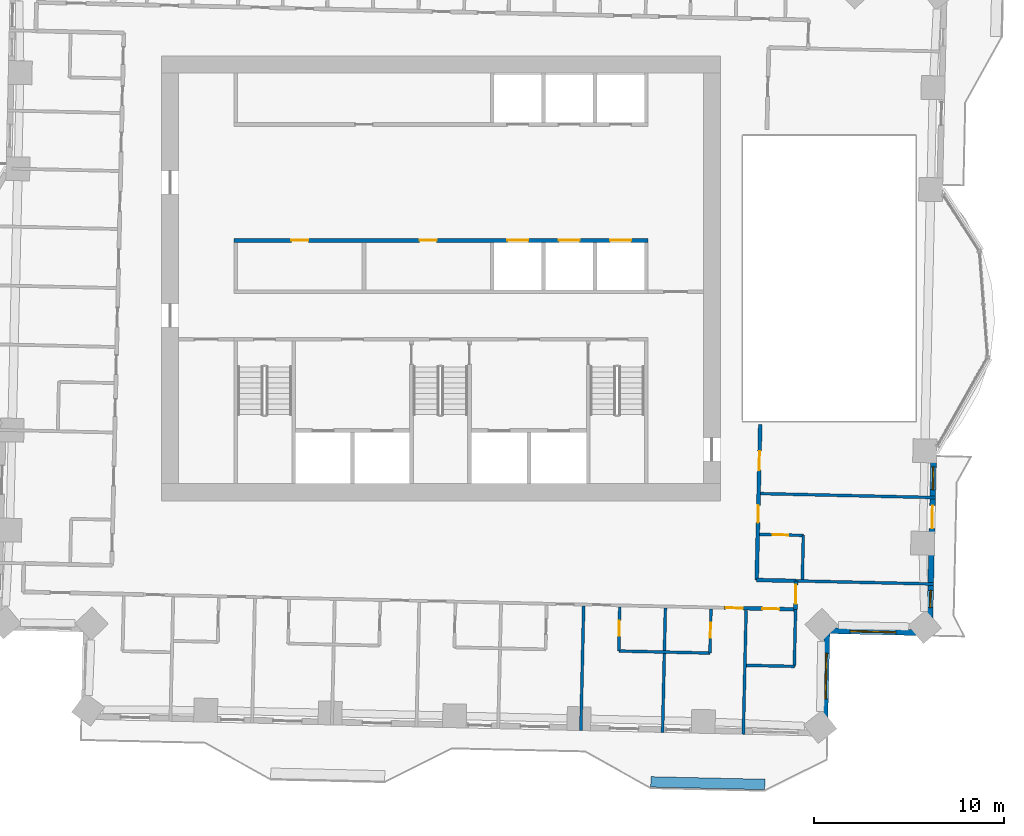
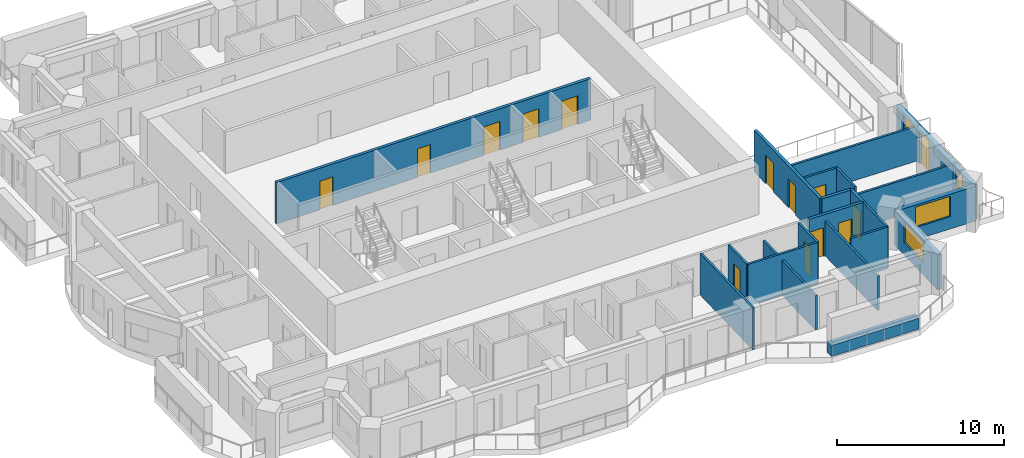
# One storey, part 7 of 14: 21 walls, 14 doors, 4 windows, 18 openings.
"""IFC4 building model written with IfcOpenShell, lengths in metres."""

from ifc_helpers import new_model, si_unit, direction, frame, frame_2d, origin, place, context, subcontext, project, spatial, rectangle, extrude, material, layer, layer_set, type_object, element, fill, save


model = new_model("IFC4")

# Units and contexts
model_context = context("Model", 3, precision=1e-05, world=origin(), true_north=direction((0.0, 1.0)))
body_context = subcontext(model_context, "Body", "Model", "MODEL_VIEW")
ifc_project = project(units=[si_unit("LENGTHUNIT", "METRE"), si_unit("AREAUNIT", "SQUARE_METRE"), si_unit("VOLUMEUNIT", "CUBIC_METRE"), si_unit("PLANEANGLEUNIT", "RADIAN"), si_unit("MASSUNIT", "GRAM", prefix="KILO")], contexts=[model_context])

# Site, building, storey
site_placement = place(None, origin())
site = spatial("IfcSite", under=ifc_project, at=site_placement, CompositionType="ELEMENT")
building_placement = place(site_placement, origin())
building = spatial("IfcBuilding", under=site, at=building_placement, Name="Mangrove Gate Tower", CompositionType="ELEMENT")
storey_placement = place(building_placement, frame((0.0, 0.0, 152.699951171875)))
storey = spatial("IfcBuildingStorey", under=building, at=storey_placement, Name="L38", CompositionType="ELEMENT", Elevation=152.699951171875)

# Wall, openings, doors
ifc_material_1 = material(Name="Concrete C60/75", Category="concrete")
ifc_layer_1 = layer(ifc_material_1, 0.199951171875)
ifc_layer_set_1 = layer_set([ifc_layer_1], Name="Core shaft wall 200 C60/75")
wall_type_1 = type_object("IfcWallType", Name="Core shaft wall 200 C60/75", PredefinedType="SHEAR", material=ifc_layer_set_1)
wall_1_placement = place(storey_placement, frame((-10.89990234375, 2.0, 0.0), z_axis=(0.0, 0.0, 1.0), x_axis=(1.0, 0.0, 0.0)))
wall_1 = element("IfcWall", 1, at=wall_1_placement, inside=storey, type_object=wall_type_1, Name="WALL-L38-CORE-7", PredefinedType="SHEAR", context=body_context, shape_type="SweptSolid", body=[
    extrude(rectangle(XDim=21.7998046875, YDim=0.199951171875, at=frame_2d((10.89990234375, 0.0))), origin(), (0.0, 0.0, 1.0), 3.050048828125),
])
opening_1_placement = place(wall_1_placement, frame((14.39990234375, 0.0, 0.0)))
opening_1 = element("IfcOpeningElement", 2, at=opening_1_placement, cuts=wall_1, Name="Opening LD", PredefinedType="OPENING", context=body_context, shape_type="SweptSolid", body=[
    extrude(rectangle(XDim=1.10009765625, YDim=2.10009765625, at=frame_2d((0.550048828125, 1.050048828125))), frame((0.0, 0.10986328125, 0.0), z_axis=(0.0, -1.0, 0.0), x_axis=(1.0, 0.0, 0.0)), (0.0, 0.0, 1.0), 0.219970703125),
])
opening_2_placement = place(wall_1_placement, frame((17.10009765625, 0.0, 0.0)))
opening_2 = element("IfcOpeningElement", 3, at=opening_2_placement, cuts=wall_1, Name="Opening LD", PredefinedType="OPENING", context=body_context, shape_type="SweptSolid", body=[
    extrude(rectangle(XDim=1.10009765625, YDim=2.10009765625, at=frame_2d((0.550048828125, 1.050048828125))), frame((0.0, 0.10986328125, 0.0), z_axis=(0.0, -1.0, 0.0), x_axis=(1.0, 0.0, 0.0)), (0.0, 0.0, 1.0), 0.219970703125),
])
opening_3_placement = place(wall_1_placement, frame((19.800048828125, 0.0, 0.0)))
opening_3 = element("IfcOpeningElement", 4, at=opening_3_placement, cuts=wall_1, Name="Opening LD", PredefinedType="OPENING", context=body_context, shape_type="SweptSolid", body=[
    extrude(rectangle(XDim=1.10009765625, YDim=2.10009765625, at=frame_2d((0.550048828125, 1.050048828125))), frame((0.0, 0.10986328125, 0.0), z_axis=(0.0, -1.0, 0.0), x_axis=(1.0, 0.0, 0.0)), (0.0, 0.0, 1.0), 0.219970703125),
])
opening_4_placement = place(wall_1_placement, frame((3.02490234375, 0.0, 0.0)))
opening_4 = element("IfcOpeningElement", 5, at=opening_4_placement, cuts=wall_1, Name="Opening KD", PredefinedType="OPENING", context=body_context, shape_type="SweptSolid", body=[
    extrude(rectangle(XDim=0.89990234375, YDim=2.10009765625, at=frame_2d((0.449951171875, 1.050048828125))), frame((0.0, 0.10986328125, 0.0), z_axis=(0.0, -1.0, 0.0), x_axis=(1.0, 0.0, 0.0)), (0.0, 0.0, 1.0), 0.219970703125),
])
opening_5_placement = place(wall_1_placement, frame((9.77490234375, 0.0, 0.0)))
opening_5 = element("IfcOpeningElement", 6, at=opening_5_placement, cuts=wall_1, Name="Opening KD", PredefinedType="OPENING", context=body_context, shape_type="SweptSolid", body=[
    extrude(rectangle(XDim=0.89990234375, YDim=2.10009765625, at=frame_2d((0.449951171875, 1.050048828125))), frame((0.0, 0.10986328125, 0.0), z_axis=(0.0, -1.0, 0.0), x_axis=(1.0, 0.0, 0.0)), (0.0, 0.0, 1.0), 0.219970703125),
])
ifc_material_2 = material(Name="Fire-rated steel door set", Category="steel")
door_type_1 = type_object("IfcDoorType", Name="Core room door FD30S 900x2100", OperationType="SINGLE_SWING_RIGHT", PredefinedType="DOOR", material=ifc_material_2)
door_1_placement = place(opening_4_placement, origin())
door_1 = element("IfcDoor", 7, at=door_1_placement, inside=storey, type_object=door_type_1, Name="Core room door Pantry store", OperationType="SINGLE_SWING_RIGHT", OverallHeight=2.10009765625, OverallWidth=0.89990234375, PredefinedType="DOOR", context=body_context, shape_type="SweptSolid", body=[
    extrude(rectangle(XDim=0.89990234375, YDim=2.10009765625, at=frame_2d((0.449951171875, 1.050048828125))), frame((0.0, 0.02490234375, 0.0), z_axis=(0.0, -1.0, 0.0), x_axis=(1.0, 0.0, 0.0)), (0.0, 0.0, 1.0), 0.050048828125),
])
fill(opening_4, door_1)
door_2_placement = place(opening_5_placement, origin())
door_2 = element("IfcDoor", 8, at=door_2_placement, inside=storey, type_object=door_type_1, Name="Core room door Cleaner's store", OperationType="SINGLE_SWING_RIGHT", OverallHeight=2.10009765625, OverallWidth=0.89990234375, PredefinedType="DOOR", context=body_context, shape_type="SweptSolid", body=[
    extrude(rectangle(XDim=0.89990234375, YDim=2.10009765625, at=frame_2d((0.449951171875, 1.050048828125))), frame((0.0, 0.02490234375, 0.0), z_axis=(0.0, -1.0, 0.0), x_axis=(1.0, 0.0, 0.0)), (0.0, 0.0, 1.0), 0.050048828125),
])
fill(opening_5, door_2)
ifc_material_3 = material(Name="Stainless steel 316", Category="steel")
door_type_2 = type_object("IfcDoorType", Name="Lift landing door 1100x2100", OperationType="SLIDING_TO_LEFT", PredefinedType="DOOR", material=ifc_material_3)
door_3_placement = place(opening_1_placement, origin())
door_3 = element("IfcDoor", 9, at=door_3_placement, inside=storey, type_object=door_type_2, Name="Landing door LD M01", OperationType="SLIDING_TO_LEFT", OverallHeight=2.10009765625, OverallWidth=1.10009765625, PredefinedType="DOOR", context=body_context, shape_type="SweptSolid", body=[
    extrude(rectangle(XDim=1.10009765625, YDim=2.10009765625, at=frame_2d((0.550048828125, 1.050048828125))), frame((0.0, 0.02490234375, 0.0), z_axis=(0.0, -1.0, 0.0), x_axis=(1.0, 0.0, 0.0)), (0.0, 0.0, 1.0), 0.050048828125),
])
fill(opening_1, door_3)
door_4_placement = place(opening_2_placement, origin())
door_4 = element("IfcDoor", 10, at=door_4_placement, inside=storey, type_object=door_type_2, Name="Landing door LD M02", OperationType="SLIDING_TO_LEFT", OverallHeight=2.10009765625, OverallWidth=1.10009765625, PredefinedType="DOOR", context=body_context, shape_type="SweptSolid", body=[
    extrude(rectangle(XDim=1.10009765625, YDim=2.10009765625, at=frame_2d((0.550048828125, 1.050048828125))), frame((0.0, 0.02490234375, 0.0), z_axis=(0.0, -1.0, 0.0), x_axis=(1.0, 0.0, 0.0)), (0.0, 0.0, 1.0), 0.050048828125),
])
fill(opening_2, door_4)
door_5_placement = place(opening_3_placement, origin())
door_5 = element("IfcDoor", 11, at=door_5_placement, inside=storey, type_object=door_type_2, Name="Landing door LD M03", OperationType="SLIDING_TO_LEFT", OverallHeight=2.10009765625, OverallWidth=1.10009765625, PredefinedType="DOOR", context=body_context, shape_type="SweptSolid", body=[
    extrude(rectangle(XDim=1.10009765625, YDim=2.10009765625, at=frame_2d((0.550048828125, 1.050048828125))), frame((0.0, 0.02490234375, 0.0), z_axis=(0.0, -1.0, 0.0), x_axis=(1.0, 0.0, 0.0)), (0.0, 0.0, 1.0), 0.050048828125),
])
fill(opening_3, door_5)

# Wall, opening, door
ifc_material_4 = material(Name="Gypsum board on steel stud, EI 60", Category="steel")
ifc_layer_2 = layer(ifc_material_4, 0.199951171875)
ifc_layer_set_2 = layer_set([ifc_layer_2], Name="Corridor wall EI 60")
wall_type_2 = type_object("IfcWallType", Name="Corridor wall EI 60", PredefinedType="PARTITIONING", material=ifc_layer_set_2)
wall_2_placement = place(storey_placement, frame((18.64697265625, -17.4150390625, 0.0), z_axis=(0.0, 0.0, 1.0), x_axis=(0.022617910375, 0.999744182344, 0.0)))
wall_2 = element("IfcWall", 12, at=wall_2_placement, inside=storey, type_object=wall_type_2, Name="WALL-L38-025", PredefinedType="PARTITIONING", context=body_context, shape_type="SweptSolid", body=[
    extrude(rectangle(XDim=1.50048828125, YDim=0.199951171875, at=frame_2d((0.750244140625, 0.0))), origin(), (0.0, 0.0, 1.0), 3.050048828125),
])
opening_6_placement = place(wall_2_placement, frame((0.300048828125, 0.0, 0.0)))
opening_6 = element("IfcOpeningElement", 13, at=opening_6_placement, cuts=wall_2, Name="Opening AD", PredefinedType="OPENING", context=body_context, shape_type="SweptSolid", body=[
    extrude(rectangle(XDim=1.0, YDim=2.10009765625, at=frame_2d((0.5, 1.050048828125))), frame((0.0, 0.10986328125, 0.0), z_axis=(0.0, -1.0, 0.0), x_axis=(1.0, 0.0, 0.0)), (0.0, 0.0, 1.0), 0.219970703125),
])
ifc_material_5 = material(Name="Timber door leaf", Category="wood")
door_type_3 = type_object("IfcDoorType", Name="Amenity door 1000", OperationType="SINGLE_SWING_LEFT", PredefinedType="DOOR", material=ifc_material_5)
door_6_placement = place(opening_6_placement, origin())
door_6 = element("IfcDoor", 14, at=door_6_placement, inside=storey, type_object=door_type_3, Name="DOOR-L38-STU-c3a", OperationType="SINGLE_SWING_RIGHT", OverallHeight=2.10009765625, OverallWidth=1.0, PredefinedType="DOOR", context=body_context, shape_type="SweptSolid", body=[
    extrude(rectangle(XDim=1.0, YDim=2.10009765625, at=frame_2d((0.5, 1.050048828125))), frame((0.0, 0.02490234375, 0.0), z_axis=(0.0, -1.0, 0.0), x_axis=(1.0, 0.0, 0.0)), (0.0, 0.0, 1.0), 0.050048828125),
])
fill(opening_6, door_6)

# Wall, openings, doors
wall_3_placement = place(storey_placement, frame((14.8798828125, -17.324951171875, 0.0), z_axis=(0.0, 0.0, 1.0), x_axis=(0.999739622, -0.022818593369, 0.0)))
wall_3 = element("IfcWall", 15, at=wall_3_placement, inside=storey, type_object=wall_type_2, Name="WALL-L38-028", PredefinedType="PARTITIONING", context=body_context, shape_type="SweptSolid", body=[
    extrude(rectangle(XDim=3.76611328125, YDim=0.199951171875, at=frame_2d((1.883056640625, 0.0))), origin(), (0.0, 0.0, 1.0), 3.050048828125),
])
opening_7_placement = place(wall_3_placement, frame((0.10009765625, 0.0, 0.0)))
opening_7 = element("IfcOpeningElement", 16, at=opening_7_placement, cuts=wall_3, Name="Opening BD", PredefinedType="OPENING", context=body_context, shape_type="SweptSolid", body=[
    extrude(rectangle(XDim=0.89990234375, YDim=2.10009765625, at=frame_2d((0.449951171875, 1.050048828125))), frame((0.0, 0.10986328125, 0.0), z_axis=(0.0, -1.0, 0.0), x_axis=(1.0, 0.0, 0.0)), (0.0, 0.0, 1.0), 0.219970703125),
])
opening_8_placement = place(wall_3_placement, frame((2.028076171875, 0.0, 0.0)))
opening_8 = element("IfcOpeningElement", 17, at=opening_8_placement, cuts=wall_3, Name="Opening SD", PredefinedType="OPENING", context=body_context, shape_type="SweptSolid", body=[
    extrude(rectangle(XDim=0.89990234375, YDim=2.10009765625, at=frame_2d((0.449951171875, 1.050048828125))), frame((0.0, 0.10986328125, 0.0), z_axis=(0.0, -1.0, 0.0), x_axis=(1.0, 0.0, 0.0)), (0.0, 0.0, 1.0), 0.219970703125),
])
ifc_material_6 = material(Name="Timber door leaf", Category="wood")
door_type_4 = type_object("IfcDoorType", Name="Bedroom door 900", OperationType="SINGLE_SWING_LEFT", PredefinedType="DOOR", material=ifc_material_6)
door_7_placement = place(opening_7_placement, origin())
door_7 = element("IfcDoor", 18, at=door_7_placement, inside=storey, type_object=door_type_4, Name="DOOR-L38-BED-c307", OperationType="SINGLE_SWING_LEFT", OverallHeight=2.10009765625, OverallWidth=0.89990234375, PredefinedType="DOOR", context=body_context, shape_type="SweptSolid", body=[
    extrude(rectangle(XDim=0.89990234375, YDim=2.10009765625, at=frame_2d((0.449951171875, 1.050048828125))), frame((0.0, 0.02490234375, 0.0), z_axis=(0.0, -1.0, 0.0), x_axis=(1.0, 0.0, 0.0)), (0.0, 0.0, 1.0), 0.050048828125),
])
fill(opening_7, door_7)
ifc_material_7 = material(Name="Timber door leaf", Category="wood")
door_type_5 = type_object("IfcDoorType", Name="Service room door 900", OperationType="SINGLE_SWING_LEFT", PredefinedType="DOOR", material=ifc_material_7)
door_8_placement = place(opening_8_placement, origin())
door_8 = element("IfcDoor", 19, at=door_8_placement, inside=storey, type_object=door_type_5, Name="DOOR-L38-AWC-c3a", OperationType="SINGLE_SWING_RIGHT", OverallHeight=2.10009765625, OverallWidth=0.89990234375, PredefinedType="DOOR", context=body_context, shape_type="SweptSolid", body=[
    extrude(rectangle(XDim=0.89990234375, YDim=2.10009765625, at=frame_2d((0.449951171875, 1.050048828125))), frame((0.0, 0.02490234375, 0.0), z_axis=(0.0, -1.0, 0.0), x_axis=(1.0, 0.0, 0.0)), (0.0, 0.0, 1.0), 0.050048828125),
])
fill(opening_8, door_8)

wall_4_placement = place(storey_placement, frame((16.611083984375, -15.867919921875, 0.0), z_axis=(0.0, 0.0, 1.0), x_axis=(0.022698399288, 0.999742358145, 0.0)))
wall_4 = element("IfcWall", 20, at=wall_4_placement, inside=storey, type_object=wall_type_2, Name="WALL-L38-031", PredefinedType="PARTITIONING", context=body_context, shape_type="SweptSolid", body=[
    extrude(rectangle(XDim=8.196044921875, YDim=0.199951171875, at=frame_2d((4.09814453125, 0.0))), origin(), (0.0, 0.0, 1.0), 3.050048828125),
])
opening_9_placement = place(wall_4_placement, frame((3.02490234375, 0.0, 0.0)))
opening_9 = element("IfcOpeningElement", 21, at=opening_9_placement, cuts=wall_4, Name="Opening BD", PredefinedType="OPENING", context=body_context, shape_type="SweptSolid", body=[
    extrude(rectangle(XDim=0.89990234375, YDim=2.10009765625, at=frame_2d((0.449951171875, 1.050048828125))), frame((0.0, 0.10986328125, 0.0), z_axis=(0.0, -1.0, 0.0), x_axis=(1.0, 0.0, 0.0)), (0.0, 0.0, 1.0), 0.219970703125),
])
opening_10_placement = place(wall_4_placement, frame((5.785888671875, 0.0, 0.0)))
opening_10 = element("IfcOpeningElement", 22, at=opening_10_placement, cuts=wall_4, Name="Opening AD", PredefinedType="OPENING", context=body_context, shape_type="SweptSolid", body=[
    extrude(rectangle(XDim=1.0, YDim=2.10009765625, at=frame_2d((0.5, 1.050048828125))), frame((0.0, 0.10986328125, 0.0), z_axis=(0.0, -1.0, 0.0), x_axis=(1.0, 0.0, 0.0)), (0.0, 0.0, 1.0), 0.219970703125),
])
door_9_placement = place(opening_10_placement, origin())
door_9 = element("IfcDoor", 23, at=door_9_placement, inside=storey, type_object=door_type_3, Name="DOOR-L38-STU-c3b", OperationType="SINGLE_SWING_LEFT", OverallHeight=2.10009765625, OverallWidth=1.0, PredefinedType="DOOR", context=body_context, shape_type="SweptSolid", body=[
    extrude(rectangle(XDim=1.0, YDim=2.10009765625, at=frame_2d((0.5, 1.050048828125))), frame((0.0, 0.02490234375, 0.0), z_axis=(0.0, -1.0, 0.0), x_axis=(1.0, 0.0, 0.0)), (0.0, 0.0, 1.0), 0.050048828125),
])
fill(opening_10, door_9)
door_10_placement = place(opening_9_placement, origin())
door_10 = element("IfcDoor", 24, at=door_10_placement, inside=storey, type_object=door_type_4, Name="DOOR-L38-BED-c308", OperationType="SINGLE_SWING_RIGHT", OverallHeight=2.10009765625, OverallWidth=0.89990234375, PredefinedType="DOOR", context=body_context, shape_type="SweptSolid", body=[
    extrude(rectangle(XDim=0.89990234375, YDim=2.10009765625, at=frame_2d((0.449951171875, 1.050048828125))), frame((0.0, 0.02490234375, 0.0), z_axis=(0.0, -1.0, 0.0), x_axis=(1.0, 0.0, 0.0)), (0.0, 0.0, 1.0), 0.050048828125),
])
fill(opening_9, door_10)

# Wall
wall_5_placement = place(storey_placement, frame((16.612060546875, -15.864013671875, 0.0), z_axis=(0.0, 0.0, 1.0), x_axis=(0.999742931749, -0.02267312106, 0.0)))
element("IfcWall", 25, at=wall_5_placement, inside=storey, type_object=wall_type_2, Name="WALL-L38-035", PredefinedType="PARTITIONING", context=body_context, shape_type="SweptSolid", body=[
    extrude(rectangle(XDim=2.0673828125, YDim=0.199951171875, at=frame_2d((1.03369140625, 0.0))), origin(), (0.0, 0.0, 1.0), 3.050048828125),
])

# Wall, openings, door, windows
ifc_material_8 = material(Name="Limestone", Category="masonry")
ifc_layer_3 = layer(ifc_material_8, 0.0400390625, Name="Limestone cladding")
ifc_material_9 = material(Name="Ventilated air gap")
ifc_layer_4 = layer(ifc_material_9, 0.0400390625, Name="Ventilated cavity")
ifc_material_10 = material(Name="Mineral wool insulation")
ifc_layer_5 = layer(ifc_material_10, 0.06005859375, Name="Insulation")
ifc_material_11 = material(Name="Breather membrane")
ifc_layer_6 = layer(ifc_material_11, 0.001953125, Name="Breather membrane")
ifc_material_12 = material(Name="Concrete C20/25 blockwork", Category="masonry")
ifc_layer_7 = layer(ifc_material_12, 0.14990234375, Name="Blockwork backing wall")
ifc_material_13 = material(Name="Gypsum plaster")
ifc_layer_8 = layer(ifc_material_13, 0.008056640625, Name="Internal plaster")
ifc_layer_set_3 = layer_set([ifc_layer_3, ifc_layer_4, ifc_layer_5, ifc_layer_6, ifc_layer_7, ifc_layer_8], Name="External wall 300 limestone cladding")
wall_type_3 = type_object("IfcWallType", Name="External wall 300 limestone cladding", PredefinedType="SOLIDWALL", material=ifc_layer_set_3)
wall_6_placement = place(storey_placement, frame((25.7099609375, -18.65087890625, 0.0), z_axis=(0.0, 0.0, 1.0), x_axis=(0.02274444447, 0.999741311663, 0.0)))
wall_6 = element("IfcWall", 26, at=wall_6_placement, inside=storey, type_object=wall_type_3, Name="WALL-L38-E0", PredefinedType="SOLIDWALL", context=body_context, shape_type="SweptSolid", body=[
    extrude(rectangle(XDim=9.62841796875, YDim=0.300048828125, at=frame_2d((4.814208984375, 0.0))), origin(), (0.0, 0.0, 1.0), 2.550048828125),
])
opening_11_placement = place(wall_6_placement, frame((1.3369140625, 0.0, 0.89990234375)))
opening_11 = element("IfcOpeningElement", 27, at=opening_11_placement, cuts=wall_6, Name="Opening W5", PredefinedType="OPENING", context=body_context, shape_type="SweptSolid", body=[
    extrude(rectangle(XDim=0.89990234375, YDim=1.5, at=frame_2d((0.449951171875, 0.75))), frame((0.0, 0.159912109375, 0.0), z_axis=(0.0, -1.0, 0.0), x_axis=(1.0, 0.0, 0.0)), (0.0, 0.0, 1.0), 0.320068359375),
])
opening_12_placement = place(wall_6_placement, frame((5.506103515625, 0.0, 0.0)))
opening_12 = element("IfcOpeningElement", 28, at=opening_12_placement, cuts=wall_6, Name="Opening BD2", PredefinedType="OPENING", context=body_context, shape_type="SweptSolid", body=[
    extrude(rectangle(XDim=1.199951171875, YDim=2.39990234375, at=frame_2d((0.60009765625, 1.199951171875))), frame((0.0, 0.159912109375, 0.0), z_axis=(0.0, -1.0, 0.0), x_axis=(1.0, 0.0, 0.0)), (0.0, 0.0, 1.0), 0.320068359375),
])
opening_13_placement = place(wall_6_placement, frame((7.537109375, 0.0, 0.89990234375)))
opening_13 = element("IfcOpeningElement", 29, at=opening_13_placement, cuts=wall_6, Name="Opening W1", PredefinedType="OPENING", context=body_context, shape_type="SweptSolid", body=[
    extrude(rectangle(XDim=1.199951171875, YDim=1.5, at=frame_2d((0.60009765625, 0.75))), frame((0.0, 0.159912109375, 0.0), z_axis=(0.0, -1.0, 0.0), x_axis=(1.0, 0.0, 0.0)), (0.0, 0.0, 1.0), 0.320068359375),
])
ifc_material_14 = material(Name="Aluminium frame with laminated clear glass", Category="aluminium")
door_type_6 = type_object("IfcDoorType", Name="Balcony sliding door 1200x2400", OperationType="SLIDING_TO_LEFT", PredefinedType="DOOR", material=ifc_material_14)
door_11_placement = place(opening_12_placement, origin())
door_11 = element("IfcDoor", 30, at=door_11_placement, inside=storey, type_object=door_type_6, Name="DOOR-L38-E0-2", OperationType="SLIDING_TO_LEFT", OverallHeight=2.39990234375, OverallWidth=1.199951171875, PredefinedType="DOOR", context=body_context, shape_type="SweptSolid", body=[
    extrude(rectangle(XDim=1.199951171875, YDim=2.39990234375, at=frame_2d((0.60009765625, 1.199951171875))), frame((0.0, 0.02490234375, 0.0), z_axis=(0.0, -1.0, 0.0), x_axis=(1.0, 0.0, 0.0)), (0.0, 0.0, 1.0), 0.050048828125),
])
fill(opening_12, door_11)
ifc_material_15 = material(Name="Aluminium frame with double-glazed low-e glass", Category="aluminium")
window_type_1 = type_object("IfcWindowType", Name="Narrow window 900x1500", PartitioningType="SINGLE_PANEL", PredefinedType="WINDOW", material=ifc_material_15)
window_1_placement = place(opening_11_placement, origin())
window_1 = element("IfcWindow", 31, at=window_1_placement, inside=storey, type_object=window_type_1, Name="WIN-L38-E0-1", OverallHeight=1.5, OverallWidth=0.89990234375, PartitioningType="SINGLE_PANEL", PredefinedType="WINDOW", context=body_context, shape_type="SweptSolid", body=[
    extrude(rectangle(XDim=0.89990234375, YDim=1.5, at=frame_2d((0.449951171875, 0.75))), frame((0.0, 0.030029296875, 0.0), z_axis=(0.0, -1.0, 0.0), x_axis=(1.0, 0.0, 0.0)), (0.0, 0.0, 1.0), 0.06005859375),
])
fill(opening_11, window_1)
ifc_material_16 = material(Name="Aluminium frame with double-glazed low-e glass", Category="aluminium")
window_type_2 = type_object("IfcWindowType", Name="Side lite 1200x1500", PartitioningType="SINGLE_PANEL", PredefinedType="WINDOW", material=ifc_material_16)
window_2_placement = place(opening_13_placement, origin())
window_2 = element("IfcWindow", 32, at=window_2_placement, inside=storey, type_object=window_type_2, Name="WIN-L38-E0-3", OverallHeight=1.5, OverallWidth=1.199951171875, PartitioningType="SINGLE_PANEL", PredefinedType="WINDOW", context=body_context, shape_type="SweptSolid", body=[
    extrude(rectangle(XDim=1.199951171875, YDim=1.5, at=frame_2d((0.60009765625, 0.75))), frame((0.0, 0.030029296875, 0.0), z_axis=(0.0, -1.0, 0.0), x_axis=(1.0, 0.0, 0.0)), (0.0, 0.0, 1.0), 0.06005859375),
])
fill(opening_13, window_2)

# Wall, opening, window
wall_7_placement = place(storey_placement, frame((20.18896484375, -23.927001953125, 0.0), z_axis=(0.0, 0.0, 1.0), x_axis=(0.022789195272, 0.999740292565, 0.0)))
wall_7 = element("IfcWall", 33, at=wall_7_placement, inside=storey, type_object=wall_type_3, Name="WALL-L38-E14", PredefinedType="SOLIDWALL", context=body_context, shape_type="SweptSolid", body=[
    extrude(rectangle(XDim=5.3994140625, YDim=0.300048828125, at=frame_2d((2.69970703125, 0.0))), origin(), (0.0, 0.0, 1.0), 2.550048828125),
])
opening_14_placement = place(wall_7_placement, frame((1.81005859375, 0.0, 0.89990234375)))
opening_14 = element("IfcOpeningElement", 34, at=opening_14_placement, cuts=wall_7, Name="Opening W2", PredefinedType="OPENING", context=body_context, shape_type="SweptSolid", body=[
    extrude(rectangle(XDim=2.39990234375, YDim=1.5, at=frame_2d((1.199951171875, 0.75))), frame((0.0, 0.159912109375, 0.0), z_axis=(0.0, -1.0, 0.0), x_axis=(1.0, 0.0, 0.0)), (0.0, 0.0, 1.0), 0.320068359375),
])
ifc_material_17 = material(Name="Aluminium frame with double-glazed low-e glass", Category="aluminium")
window_type_3 = type_object("IfcWindowType", Name="Corner room window 2400x1500", PartitioningType="DOUBLE_PANEL_VERTICAL", PredefinedType="WINDOW", material=ifc_material_17)
window_3_placement = place(opening_14_placement, origin())
window_3 = element("IfcWindow", 35, at=window_3_placement, inside=storey, type_object=window_type_3, Name="WIN-L38-E14-1", OverallHeight=1.5, OverallWidth=2.39990234375, PartitioningType="DOUBLE_PANEL_VERTICAL", PredefinedType="WINDOW", context=body_context, shape_type="SweptSolid", body=[
    extrude(rectangle(XDim=2.39990234375, YDim=1.5, at=frame_2d((1.199951171875, 0.75))), frame((0.0, 0.030029296875, 0.0), z_axis=(0.0, -1.0, 0.0), x_axis=(1.0, 0.0, 0.0)), (0.0, 0.0, 1.0), 0.06005859375),
])
fill(opening_14, window_3)

wall_8_placement = place(storey_placement, frame((20.31201171875, -18.529052734375, 0.0), z_axis=(0.0, 0.0, 1.0), x_axis=(0.999745417973, -0.02256322766, 0.0)))
wall_8 = element("IfcWall", 36, at=wall_8_placement, inside=storey, type_object=wall_type_3, Name="WALL-L38-S15", PredefinedType="SOLIDWALL", context=body_context, shape_type="SweptSolid", body=[
    extrude(rectangle(XDim=5.3994140625, YDim=0.300048828125, at=frame_2d((2.69970703125, 0.0))), origin(), (0.0, 0.0, 1.0), 2.550048828125),
])
opening_15_placement = place(wall_8_placement, frame((1.219970703125, 0.0, 0.89990234375)))
opening_15 = element("IfcOpeningElement", 37, at=opening_15_placement, cuts=wall_8, Name="Opening W2", PredefinedType="OPENING", context=body_context, shape_type="SweptSolid", body=[
    extrude(rectangle(XDim=2.39990234375, YDim=1.5, at=frame_2d((1.199951171875, 0.75))), frame((0.0, 0.159912109375, 0.0), z_axis=(0.0, -1.0, 0.0), x_axis=(1.0, 0.0, 0.0)), (0.0, 0.0, 1.0), 0.320068359375),
])
window_4_placement = place(opening_15_placement, origin())
window_4 = element("IfcWindow", 38, at=window_4_placement, inside=storey, type_object=window_type_3, Name="WIN-L38-S15-1", OverallHeight=1.5, OverallWidth=2.39990234375, PartitioningType="DOUBLE_PANEL_VERTICAL", PredefinedType="WINDOW", context=body_context, shape_type="SweptSolid", body=[
    extrude(rectangle(XDim=2.39990234375, YDim=1.5, at=frame_2d((1.199951171875, 0.75))), frame((0.0, 0.030029296875, 0.0), z_axis=(0.0, -1.0, 0.0), x_axis=(1.0, 0.0, 0.0)), (0.0, 0.0, 1.0), 0.06005859375),
])
fill(opening_15, window_4)

# Walls
ifc_material_18 = material(Name="Gypsum board on steel stud, EI 60", Category="steel")
ifc_layer_9 = layer(ifc_material_18, 0.14990234375)
ifc_layer_set_4 = layer_set([ifc_layer_9], Name="Party wall 150 EI 60")
wall_type_4 = type_object("IfcWallType", Name="Party wall 150 EI 60", PredefinedType="PARTITIONING", material=ifc_layer_set_4)
wall_9_placement = place(storey_placement, frame((7.35888671875, -23.785888671875, 0.0), z_axis=(0.0, 0.0, 1.0), x_axis=(0.022772202332, 0.999740679777, 0.0)))
element("IfcWall", 39, at=wall_9_placement, inside=storey, type_object=wall_type_4, Name="WALL-L38-006", PredefinedType="PARTITIONING", context=body_context, shape_type="SweptSolid", body=[
    extrude(rectangle(XDim=6.550537109375, YDim=0.14990234375, at=frame_2d((3.275390625, 0.0))), origin(), (0.0, 0.0, 1.0), 3.050048828125),
])
wall_10_placement = place(storey_placement, frame((11.657958984375, -23.884033203125, 0.0), z_axis=(0.0, 0.0, 1.0), x_axis=(0.022734104141, 0.999741546855, 0.0)))
element("IfcWall", 40, at=wall_10_placement, inside=storey, type_object=wall_type_4, Name="WALL-L38-007", PredefinedType="PARTITIONING", context=body_context, shape_type="SweptSolid", body=[
    extrude(rectangle(XDim=6.55078125, YDim=0.14990234375, at=frame_2d((3.275390625, 0.0))), origin(), (0.0, 0.0, 1.0), 2.550048828125),
])
wall_11_placement = place(storey_placement, frame((15.906982421875, -23.97998046875, 0.0), z_axis=(0.0, 0.0, 1.0), x_axis=(0.022672114006, 0.999742954587, 0.0)))
element("IfcWall", 41, at=wall_11_placement, inside=storey, type_object=wall_type_4, Name="WALL-L38-008", PredefinedType="PARTITIONING", context=body_context, shape_type="SweptSolid", body=[
    extrude(rectangle(XDim=6.525634765625, YDim=0.14990234375, at=frame_2d((3.2626953125, 0.0))), origin(), (0.0, 0.0, 1.0), 2.550048828125),
])
wall_12_placement = place(storey_placement, frame((18.589111328125, -20.4140625, 0.0), z_axis=(0.0, 0.0, 1.0), x_axis=(0.022625271604, 0.999744015778, 0.0)))
element("IfcWall", 42, at=wall_12_placement, inside=storey, type_object=wall_type_4, Name="WALL-L38-010", PredefinedType="PARTITIONING", context=body_context, shape_type="SweptSolid", body=[
    extrude(rectangle(XDim=2.999755859375, YDim=0.14990234375, at=frame_2d((1.5, 0.0))), origin(), (0.0, 0.0, 1.0), 3.050048828125),
])
wall_13_placement = place(storey_placement, frame((16.06396484375, -20.35302734375, 0.0), z_axis=(0.0, 0.0, 1.0), x_axis=(0.999746356616, -0.022521599255, 0.0)))
element("IfcWall", 43, at=wall_13_placement, inside=storey, type_object=wall_type_4, Name="WALL-L38-012", PredefinedType="PARTITIONING", context=body_context, shape_type="SweptSolid", body=[
    extrude(rectangle(XDim=2.52587890625, YDim=0.14990234375, at=frame_2d((1.262939453125, 0.0))), origin(), (0.0, 0.0, 1.0), 3.050048828125),
])

# Wall, opening, door
wall_14_placement = place(storey_placement, frame((9.35498046875, -19.60498046875, 0.0), z_axis=(0.0, 0.0, 1.0), x_axis=(0.022361308448, 0.999749954681, 0.0)))
wall_14 = element("IfcWall", 44, at=wall_14_placement, inside=storey, type_object=wall_type_4, Name="WALL-L38-018", PredefinedType="PARTITIONING", context=body_context, shape_type="SweptSolid", body=[
    extrude(rectangle(XDim=2.325439453125, YDim=0.14990234375, at=frame_2d((1.16259765625, 0.0))), origin(), (0.0, 0.0, 1.0), 3.050048828125),
])
opening_16_placement = place(wall_14_placement, frame((0.800048828125, 0.0, 0.0)))
opening_16 = element("IfcOpeningElement", 45, at=opening_16_placement, cuts=wall_14, Name="Opening ED", PredefinedType="OPENING", context=body_context, shape_type="SweptSolid", body=[
    extrude(rectangle(XDim=0.800048828125, YDim=2.10009765625, at=frame_2d((0.39990234375, 1.050048828125))), frame((0.0, 0.0849609375, 0.0), z_axis=(0.0, -1.0, 0.0), x_axis=(1.0, 0.0, 0.0)), (0.0, 0.0, 1.0), 0.169921875),
])
ifc_material_19 = material(Name="Timber door leaf", Category="wood")
door_type_7 = type_object("IfcDoorType", Name="En-suite door 800", OperationType="SINGLE_SWING_LEFT", PredefinedType="DOOR", material=ifc_material_19)
door_12_placement = place(opening_16_placement, origin())
door_12 = element("IfcDoor", 46, at=door_12_placement, inside=storey, type_object=door_type_7, Name="DOOR-L38-ENS-c206", OperationType="SINGLE_SWING_RIGHT", OverallHeight=2.10009765625, OverallWidth=0.800048828125, PredefinedType="DOOR", context=body_context, shape_type="SweptSolid", body=[
    extrude(rectangle(XDim=0.800048828125, YDim=2.10009765625, at=frame_2d((0.39990234375, 1.050048828125))), frame((0.0, 0.02490234375, 0.0), z_axis=(0.0, -1.0, 0.0), x_axis=(1.0, 0.0, 0.0)), (0.0, 0.0, 1.0), 0.050048828125),
])
fill(opening_16, door_12)

wall_15_placement = place(storey_placement, frame((14.153076171875, -19.712890625, 0.0), z_axis=(0.0, 0.0, 1.0), x_axis=(0.02279059109, 0.999740260747, 0.0)))
wall_15 = element("IfcWall", 47, at=wall_15_placement, inside=storey, type_object=wall_type_4, Name="WALL-L38-019", PredefinedType="PARTITIONING", context=body_context, shape_type="SweptSolid", body=[
    extrude(rectangle(XDim=2.324462890625, YDim=0.14990234375, at=frame_2d((1.162109375, 0.0))), origin(), (0.0, 0.0, 1.0), 3.050048828125),
])
opening_17_placement = place(wall_15_placement, frame((0.800048828125, 0.0, 0.0)))
opening_17 = element("IfcOpeningElement", 48, at=opening_17_placement, cuts=wall_15, Name="Opening ED", PredefinedType="OPENING", context=body_context, shape_type="SweptSolid", body=[
    extrude(rectangle(XDim=0.800048828125, YDim=2.10009765625, at=frame_2d((0.39990234375, 1.050048828125))), frame((0.0, 0.0849609375, 0.0), z_axis=(0.0, -1.0, 0.0), x_axis=(1.0, 0.0, 0.0)), (0.0, 0.0, 1.0), 0.169921875),
])
door_13_placement = place(opening_17_placement, origin())
door_13 = element("IfcDoor", 49, at=door_13_placement, inside=storey, type_object=door_type_7, Name="DOOR-L38-ENS-c307", OperationType="SINGLE_SWING_LEFT", OverallHeight=2.10009765625, OverallWidth=0.800048828125, PredefinedType="DOOR", context=body_context, shape_type="SweptSolid", body=[
    extrude(rectangle(XDim=0.800048828125, YDim=2.10009765625, at=frame_2d((0.39990234375, 1.050048828125))), frame((0.0, 0.02490234375, 0.0), z_axis=(0.0, -1.0, 0.0), x_axis=(1.0, 0.0, 0.0)), (0.0, 0.0, 1.0), 0.050048828125),
])
fill(opening_17, door_13)

# Walls
wall_16_placement = place(storey_placement, frame((9.35498046875, -19.60107421875, 0.0), z_axis=(0.0, 0.0, 1.0), x_axis=(0.999747294078, -0.022479946278, 0.0)))
element("IfcWall", 50, at=wall_16_placement, inside=storey, type_object=wall_type_4, Name="WALL-L38-023", PredefinedType="PARTITIONING", context=body_context, shape_type="SweptSolid", body=[
    extrude(rectangle(XDim=4.80029296875, YDim=0.14990234375, at=frame_2d((2.400146484375, 0.0))), origin(), (0.0, 0.0, 1.0), 3.050048828125),
])
wall_17_placement = place(storey_placement, frame((19.011962890625, -15.847900390625, 0.0), z_axis=(0.0, 0.0, 1.0), x_axis=(0.022781023197, 0.999740478815, 0.0)))
element("IfcWall", 51, at=wall_17_placement, inside=storey, type_object=wall_type_4, Name="WALL-L38-032", PredefinedType="PARTITIONING", context=body_context, shape_type="SweptSolid", body=[
    extrude(rectangle(XDim=2.325439453125, YDim=0.14990234375, at=frame_2d((1.16259765625, 0.0))), origin(), (0.0, 0.0, 1.0), 3.050048828125),
])
wall_18_placement = place(storey_placement, frame((18.675048828125, -15.910888671875, 0.0), z_axis=(0.0, 0.0, 1.0), x_axis=(0.999743624132, -0.022642570706, 0.0)))
element("IfcWall", 52, at=wall_18_placement, inside=storey, type_object=wall_type_4, Name="WALL-L38-036", PredefinedType="PARTITIONING", context=body_context, shape_type="SweptSolid", body=[
    extrude(rectangle(XDim=7.245849609375, YDim=0.14990234375, at=frame_2d((3.623046875, 0.0))), origin(), (0.0, 0.0, 1.0), 2.550048828125),
])

# Wall, opening, door
wall_19_placement = place(storey_placement, frame((16.76708984375, -13.467041015625, 0.0), z_axis=(0.0, 0.0, 1.0), x_axis=(0.999744241736, -0.022615284993, 0.0)))
wall_19 = element("IfcWall", 53, at=wall_19_placement, inside=storey, type_object=wall_type_4, Name="WALL-L38-038", PredefinedType="PARTITIONING", context=body_context, shape_type="SweptSolid", body=[
    extrude(rectangle(XDim=2.29931640625, YDim=0.14990234375, at=frame_2d((1.149658203125, 0.0))), origin(), (0.0, 0.0, 1.0), 3.050048828125),
])
opening_18_placement = place(wall_19_placement, frame((0.699951171875, 0.0, 0.0)))
opening_18 = element("IfcOpeningElement", 54, at=opening_18_placement, cuts=wall_19, Name="Opening ED", PredefinedType="OPENING", context=body_context, shape_type="SweptSolid", body=[
    extrude(rectangle(XDim=0.800048828125, YDim=2.10009765625, at=frame_2d((0.39990234375, 1.050048828125))), frame((0.0, 0.0849609375, 0.0), z_axis=(0.0, -1.0, 0.0), x_axis=(1.0, 0.0, 0.0)), (0.0, 0.0, 1.0), 0.169921875),
])
door_14_placement = place(opening_18_placement, origin())
door_14 = element("IfcDoor", 55, at=door_14_placement, inside=storey, type_object=door_type_7, Name="DOOR-L38-ENS-c308", OperationType="SINGLE_SWING_RIGHT", OverallHeight=2.10009765625, OverallWidth=0.800048828125, PredefinedType="DOOR", context=body_context, shape_type="SweptSolid", body=[
    extrude(rectangle(XDim=0.800048828125, YDim=2.10009765625, at=frame_2d((0.39990234375, 1.050048828125))), frame((0.0, 0.02490234375, 0.0), z_axis=(0.0, -1.0, 0.0), x_axis=(1.0, 0.0, 0.0)), (0.0, 0.0, 1.0), 0.050048828125),
])
fill(opening_18, door_14)

# Walls
wall_20_placement = place(storey_placement, frame((16.81591796875, -11.318115234375, 0.0), z_axis=(0.0, 0.0, 1.0), x_axis=(0.999742437445, -0.022694906292, 0.0)))
element("IfcWall", 56, at=wall_20_placement, inside=storey, type_object=wall_type_4, Name="WALL-L38-039", PredefinedType="PARTITIONING", context=body_context, shape_type="SweptSolid", body=[
    extrude(rectangle(XDim=9.20849609375, YDim=0.14990234375, at=frame_2d((4.604248046875, 0.0))), origin(), (0.0, 0.0, 1.0), 2.550048828125),
])
ifc_material_20 = material(Name="Concrete C32/40", Category="concrete")
ifc_layer_10 = layer(ifc_material_20, 0.199951171875, Name="Planter trough wall")
ifc_material_21 = material(Name="Bituminous waterproofing membrane")
ifc_layer_11 = layer(ifc_material_21, 0.0048828125, Name="Waterproofing")
ifc_material_22 = material(Name="Drainage board and gravel")
ifc_layer_12 = layer(ifc_material_22, 0.044921875, Name="Drainage layer")
ifc_material_23 = material(Name="Planting soil")
ifc_layer_13 = layer(ifc_material_23, 0.300048828125, Name="Growing medium")
ifc_layer_set_5 = layer_set([ifc_layer_10, ifc_layer_11, ifc_layer_12, ifc_layer_13], Name="Planter wall 550 C32/40")
wall_type_5 = type_object("IfcWallType", Name="Planter wall 550 C32/40", PredefinedType="USERDEFINED", material=ifc_layer_set_5)
wall_21_placement = place(storey_placement, frame((11.0390625, -26.486083984375, 0.0), z_axis=(0.0, 0.0, 1.0), x_axis=(0.999743094499, -0.022665943652, 0.0)))
element("IfcWall", 57, at=wall_21_placement, inside=storey, type_object=wall_type_5, Name="PLANTER L38 S1.1", ObjectType="PLANTER", PredefinedType="USERDEFINED", context=body_context, shape_type="SweptSolid", body=[
    extrude(rectangle(XDim=5.99951171875, YDim=0.550048828125, at=frame_2d((2.999755859375, 0.0))), origin(), (0.0, 0.0, 1.0), 0.800048828125),
])

save(model, "model.ifc")
